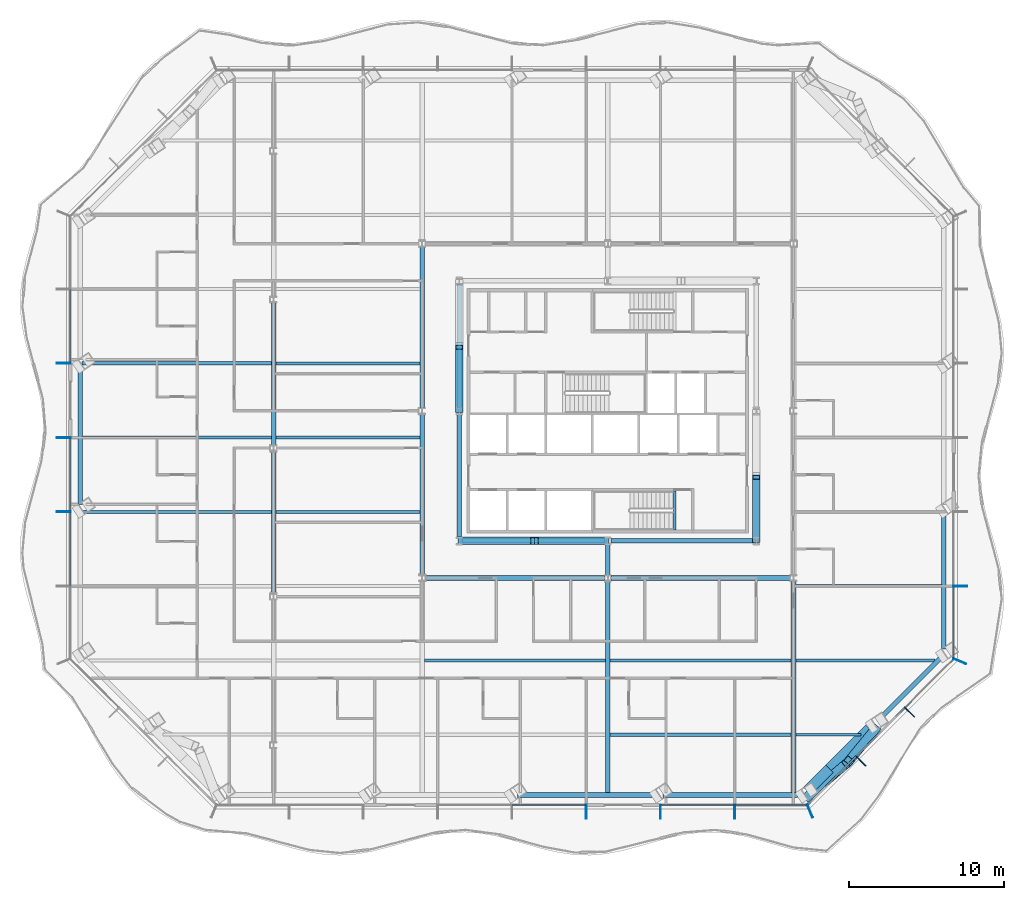
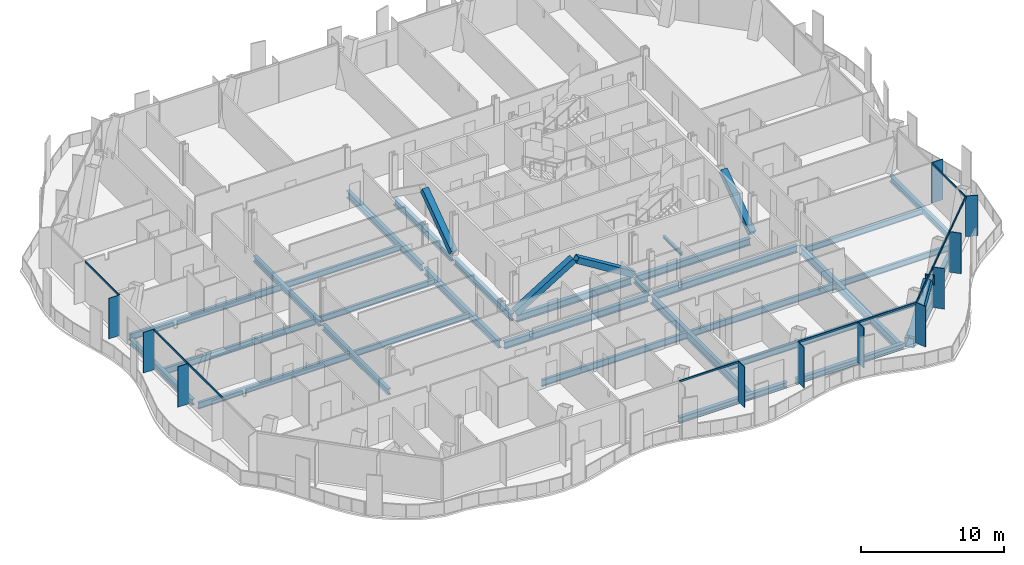
# One storey, part 2 of 17: 33 beams, 27 members, 4 elements without a shape of their own.
"""IFC4 building model written with IfcOpenShell, lengths in metres."""

from ifc_helpers import new_model, si_unit, direction, frame, origin, origin_2d, place, context, subcontext, project, spatial, rectangle, hollow_rectangle, i_section, extrude, material, material_profile, profile_set, type_object, element, aggregate, save


model = new_model("IFC4")

# Units and contexts
model_context = context("Model", 3, precision=1e-05, world=origin(), true_north=direction((0.0, 1.0)))
body_context = subcontext(model_context, "Body", "Model", "MODEL_VIEW")
ifc_project = project(units=[si_unit("LENGTHUNIT", "METRE"), si_unit("AREAUNIT", "SQUARE_METRE"), si_unit("VOLUMEUNIT", "CUBIC_METRE"), si_unit("PLANEANGLEUNIT", "RADIAN"), si_unit("MASSUNIT", "GRAM", prefix="KILO")], contexts=[model_context])

# Site, building, storey
site_placement = place(None, origin())
site = spatial("IfcSite", under=ifc_project, at=site_placement, CompositionType="ELEMENT")
building_placement = place(site_placement, origin())
building = spatial("IfcBuilding", under=site, at=building_placement, Name="Cairn Pilgrim Tower", CompositionType="ELEMENT")
storey_placement = place(building_placement, frame((0.0, 0.0, 94.199951171875)))
storey = spatial("IfcBuildingStorey", under=building, at=storey_placement, Name="L22", CompositionType="ELEMENT", Elevation=94.199951171875)

# Members
ifc_material_1 = material(Name="Structural steel S460M", Category="steel")
ifc_material_profile_1 = material_profile(ifc_material_1, hollow_rectangle(XDim=0.5, YDim=0.5, WallThickness=0.030029296875, at=origin_2d()), Name="BOX 500x500x30")
ifc_profile_set_1 = profile_set([ifc_material_profile_1], Name="Structural steel S460M")
member_type_1 = type_object("IfcMemberType", Name="BOX 500x500x30 BRACE", PredefinedType="BRACE", material=ifc_profile_set_1)
member_1_placement = place(storey_placement, frame((-2.356201171875, -6.0, 0.10009765625), z_axis=(0.850990224345, 0.0, 0.525181528683), x_axis=(0.0, 1.0, 0.0)))
element("IfcMember", 1, at=member_1_placement, inside=storey, type_object=member_type_1, Name="KB-1A", PredefinedType="BRACE", context=body_context, shape_type="SweptSolid", body=[
    extrude(hollow_rectangle(XDim=0.5, YDim=0.5, WallThickness=0.030029296875, at=origin_2d()), origin(), (0.0, 0.0, 1.0), 5.5263671875),
])
member_2_placement = place(storey_placement, frame((7.15625, -6.0, 0.10009765625), z_axis=(-0.851007515624, 0.0, 0.525153509321), x_axis=(0.0, -1.0, 0.0)))
element("IfcMember", 2, at=member_2_placement, inside=storey, type_object=member_type_1, Name="KB-1B", PredefinedType="BRACE", context=body_context, shape_type="SweptSolid", body=[
    extrude(hollow_rectangle(XDim=0.5, YDim=0.5, WallThickness=0.030029296875, at=origin_2d()), origin(), (0.0, 0.0, 1.0), 5.37646484375),
])
for number, where, z_axis, x_axis, name in (
    (3, (16.800048828125, -5.956298828125, 0.10009765625), (0.0, 0.814198726233, 0.580586284889), (-1.0, 0.0, 0.0), "KB-2A"),
    (4, (-2.39990234375, 2.443603515625, 0.10009765625), (0.0, 0.814198726233, 0.580586284889), (-1.0, 0.0, 0.0), "KB-4B"),
):
    element("IfcMember", number, at=place(storey_placement, frame(where, z_axis=z_axis, x_axis=x_axis)), inside=storey, type_object=member_type_1, Name=name, PredefinedType="BRACE", context=body_context, shape_type="SweptSolid", body=[
        extrude(hollow_rectangle(XDim=0.5, YDim=0.5, WallThickness=0.030029296875, at=origin_2d()), origin(), (0.0, 0.0, 1.0), 4.99658203125),
    ])
ifc_material_profile_2 = material_profile(ifc_material_1, hollow_rectangle(XDim=0.60009765625, YDim=0.60009765625, WallThickness=0.034912109375, at=origin_2d()), Name="BOX 600x600x35")
ifc_profile_set_2 = profile_set([ifc_material_profile_2], Name="Structural steel S460M")
member_type_2 = type_object("IfcMemberType", Name="BOX 600x600x35 BRACE", PredefinedType="BRACE", material=ifc_profile_set_2)
member_3_placement = place(storey_placement, frame((20.07958984375, -22.55859375, 0.150146484375), z_axis=(0.596569631431, 0.507172953437, 0.621997001726), x_axis=(-0.647714231681, 0.761883373015, 0.0)))
element("IfcMember", 5, at=member_3_placement, inside=storey, type_object=member_type_2, Name="XB-SE1-SE2-1", PredefinedType="BRACE", context=body_context, shape_type="SweptSolid", body=[
    extrude(hollow_rectangle(XDim=0.60009765625, YDim=0.60009765625, WallThickness=0.034912109375, at=origin_2d()), origin(), (0.0, 0.0, 1.0), 4.262939453125),
])
member_4_placement = place(storey_placement, frame((24.502685546875, -18.13525390625, 0.150146484375), z_axis=(-0.450072568527, -0.551123790611, 0.702635930253), x_axis=(0.774540293732, -0.632524571369, 0.0)))
element("IfcMember", 6, at=member_4_placement, inside=storey, type_object=member_type_2, Name="XB-SE1-SE2-2", PredefinedType="BRACE", context=body_context, shape_type="SweptSolid", body=[
    extrude(hollow_rectangle(XDim=0.60009765625, YDim=0.60009765625, WallThickness=0.034912109375, at=origin_2d()), origin(), (0.0, 0.0, 1.0), 3.77392578125),
])

# Beams
ifc_material_2 = material(Name="Structural steel S355J2", Category="steel")
ifc_material_profile_3 = material_profile(ifc_material_2, hollow_rectangle(XDim=0.699951171875, YDim=0.800048828125, WallThickness=0.0400390625, at=origin_2d()), Name="BOX 700x800x40")
ifc_profile_set_3 = profile_set([ifc_material_profile_3], Name="Structural steel S355J2")
beam_type_1 = type_object("IfcBeamType", Name="BOX 700x800x40 RING GIRDER", PredefinedType="SPANDREL", material=ifc_profile_set_3)
beam_1_placement = place(storey_placement, frame((20.090087890625, -22.173095703125, -0.550048828125), z_axis=(0.707166708029, 0.707046849265, 0.0), x_axis=(-0.707046849265, 0.707166708029, 0.0)))
element("IfcBeam", 7, at=beam_1_placement, inside=storey, type_object=beam_type_1, Name="RG1-SE1-SE2-1", PredefinedType="SPANDREL", context=body_context, shape_type="SweptSolid", body=[
    extrude(hollow_rectangle(XDim=0.699951171875, YDim=0.800048828125, WallThickness=0.0400390625, at=origin_2d()), origin(), (0.0, 0.0, 1.0), 2.036865234375),
])
beam_2_placement = place(storey_placement, frame((21.530517578125, -20.73291015625, -0.550048828125), z_axis=(0.707106781187, 0.707106781187, 0.0), x_axis=(-0.707106781187, 0.707106781187, 0.0)))
element("IfcBeam", 8, at=beam_2_placement, inside=storey, type_object=beam_type_1, Name="RG1-SE1-SE2-2", PredefinedType="SPANDREL", context=body_context, shape_type="SweptSolid", body=[
    extrude(hollow_rectangle(XDim=0.699951171875, YDim=0.800048828125, WallThickness=0.0400390625, at=origin_2d()), origin(), (0.0, 0.0, 1.0), 3.658447265625),
])

# Curtain wall, members
ifc_material_3 = material(Name="Aluminium alloy 6063-T6 bronze anodised with Bronze tinted laminated low-E glass 8+16+8.8", Category="aluminium")
curtain_wall_type_1 = type_object("IfcCurtainWallType", Name="TOWER STICK CURTAIN WALL NS", PredefinedType="NOTDEFINED", material=ifc_material_3)
curtain_wall_1_placement = place(storey_placement, origin())
curtain_wall_1 = element("IfcCurtainWall", 9, at=curtain_wall_1_placement, inside=storey, type_object=curtain_wall_type_1, Name="Tower Stick Curtain Wall Ns S", PredefinedType="NOTDEFINED")
ifc_material_4 = material(Name="Aluminium alloy 6063-T6 bronze anodised", Category="aluminium")
ifc_material_profile_4 = material_profile(ifc_material_4, rectangle(XDim=0.89990234375, YDim=0.06005859375, at=origin_2d()), Name="FIN MULLION 60x900 BRONZE")
ifc_profile_set_4 = profile_set([ifc_material_profile_4], Name="Aluminium alloy 6063-T6 bronze anodised")
member_type_3 = type_object("IfcMemberType", Name="FIN MULLION 60x900 BRONZE", PredefinedType="MULLION", material=ifc_profile_set_4)
member_5_placement = place(storey_placement, frame((5.808349609375, -23.497802734375, 0.0), z_axis=(0.0, 0.0, 1.0), x_axis=(0.0, -1.0, 0.0)))
member_5 = element("IfcMember", 10, at=member_5_placement, type_object=member_type_3, Name="Fin mullion S6", PredefinedType="MULLION", context=body_context, shape_type="SweptSolid", body=[
    extrude(rectangle(XDim=0.89990234375, YDim=0.06005859375, at=origin_2d()), origin(), (0.0, 0.0, 1.0), 3.449951171875),
])
member_6_placement = place(storey_placement, frame((10.6083984375, -23.497802734375, 0.0), z_axis=(0.0, 0.0, 1.0), x_axis=(0.0, -1.0, 0.0)))
member_6 = element("IfcMember", 11, at=member_6_placement, type_object=member_type_3, Name="Fin mullion S7", PredefinedType="MULLION", context=body_context, shape_type="SweptSolid", body=[
    extrude(rectangle(XDim=0.89990234375, YDim=0.06005859375, at=origin_2d()), origin(), (0.0, 0.0, 1.0), 3.449951171875),
])
member_7_placement = place(storey_placement, frame((15.408447265625, -23.497802734375, 0.0), z_axis=(0.0, 0.0, 1.0), x_axis=(0.0, -1.0, 0.0)))
member_7 = element("IfcMember", 12, at=member_7_placement, type_object=member_type_3, Name="Fin mullion S8", PredefinedType="MULLION", context=body_context, shape_type="SweptSolid", body=[
    extrude(rectangle(XDim=0.89990234375, YDim=0.06005859375, at=origin_2d()), origin(), (0.0, 0.0, 1.0), 3.449951171875),
])

curtain_wall_type_2 = type_object("IfcCurtainWallType", Name="CHAMFER CORNER CURTAIN WALL", PredefinedType="NOTDEFINED", material=ifc_material_3)
curtain_wall_2_placement = place(storey_placement, origin())
curtain_wall_2 = element("IfcCurtainWall", 13, at=curtain_wall_2_placement, inside=storey, type_object=curtain_wall_type_2, Name="Chamfer Corner Curtain Wall SE", PredefinedType="NOTDEFINED")
member_8_placement = place(storey_placement, frame((20.265625, -23.4658203125, 0.0), z_axis=(0.0, 0.0, 1.0), x_axis=(0.382683432365, -0.923879532511, 0.0)))
member_8 = element("IfcMember", 14, at=member_8_placement, type_object=member_type_3, Name="Fin mullion SE1", PredefinedType="MULLION", context=body_context, shape_type="SweptSolid", body=[
    extrude(rectangle(XDim=0.89990234375, YDim=0.06005859375, at=origin_2d()), origin(), (0.0, 0.0, 1.0), 3.449951171875),
])
member_9_placement = place(storey_placement, frame((23.552978515625, -20.2236328125, 0.0), z_axis=(0.0, 0.0, 1.0), x_axis=(0.707106781187, -0.707106781187, 0.0)))
member_9 = element("IfcMember", 15, at=member_9_placement, type_object=member_type_3, Name="Fin mullion SE2", PredefinedType="MULLION", context=body_context, shape_type="SweptSolid", body=[
    extrude(rectangle(XDim=0.89990234375, YDim=0.06005859375, at=origin_2d()), origin(), (0.0, 0.0, 1.0), 3.449951171875),
])
member_10_placement = place(storey_placement, frame((26.7041015625, -17.072265625, 0.0), z_axis=(0.0, 0.0, 1.0), x_axis=(0.707106781187, -0.707106781187, 0.0)))
member_10 = element("IfcMember", 16, at=member_10_placement, type_object=member_type_3, Name="Fin mullion SE3", PredefinedType="MULLION", context=body_context, shape_type="SweptSolid", body=[
    extrude(rectangle(XDim=0.89990234375, YDim=0.06005859375, at=origin_2d()), origin(), (0.0, 0.0, 1.0), 3.449951171875),
])

curtain_wall_type_3 = type_object("IfcCurtainWallType", Name="TOWER STICK CURTAIN WALL EW", PredefinedType="NOTDEFINED", material=ifc_material_3)
curtain_wall_3_placement = place(storey_placement, origin())
curtain_wall_3 = element("IfcCurtainWall", 17, at=curtain_wall_3_placement, inside=storey, type_object=curtain_wall_type_3, Name="Tower Stick Curtain Wall Ew E", PredefinedType="NOTDEFINED")
member_11_placement = place(storey_placement, frame((29.946533203125, -13.784912109375, 0.0), z_axis=(0.0, 0.0, 1.0), x_axis=(0.923879532511, -0.382683432365, 0.0)))
member_11 = element("IfcMember", 18, at=member_11_placement, type_object=member_type_3, Name="Fin mullion E1", PredefinedType="MULLION", context=body_context, shape_type="SweptSolid", body=[
    extrude(rectangle(XDim=0.89990234375, YDim=0.06005859375, at=origin_2d()), origin(), (0.0, 0.0, 1.0), 3.449951171875),
])
member_12_placement = place(storey_placement, frame((29.978271484375, -8.927734375, 0.0), z_axis=(0.0, 0.0, 1.0), x_axis=(1.0, 0.0, 0.0)))
member_12 = element("IfcMember", 19, at=member_12_placement, type_object=member_type_3, Name="Fin mullion E2", PredefinedType="MULLION", context=body_context, shape_type="SweptSolid", body=[
    extrude(rectangle(XDim=0.89990234375, YDim=0.06005859375, at=origin_2d()), origin(), (0.0, 0.0, 1.0), 3.449951171875),
])

curtain_wall_4_placement = place(storey_placement, origin())
curtain_wall_4 = element("IfcCurtainWall", 20, at=curtain_wall_4_placement, inside=storey, type_object=curtain_wall_type_3, Name="Tower Stick Curtain Wall Ew W", PredefinedType="NOTDEFINED")
member_13_placement = place(storey_placement, frame((-27.961669921875, 5.47216796875, 0.0), z_axis=(0.0, 0.0, 1.0), x_axis=(-1.0, 0.0, 0.0)))
member_13 = element("IfcMember", 21, at=member_13_placement, type_object=member_type_3, Name="Fin mullion W3", PredefinedType="MULLION", context=body_context, shape_type="SweptSolid", body=[
    extrude(rectangle(XDim=0.89990234375, YDim=0.06005859375, at=origin_2d()), origin(), (0.0, 0.0, 1.0), 3.449951171875),
])
member_14_placement = place(storey_placement, frame((-27.961669921875, 0.67236328125, 0.0), z_axis=(0.0, 0.0, 1.0), x_axis=(-1.0, 0.0, 0.0)))
member_14 = element("IfcMember", 22, at=member_14_placement, type_object=member_type_3, Name="Fin mullion W4", PredefinedType="MULLION", context=body_context, shape_type="SweptSolid", body=[
    extrude(rectangle(XDim=0.89990234375, YDim=0.06005859375, at=origin_2d()), origin(), (0.0, 0.0, 1.0), 3.449951171875),
])
member_15_placement = place(storey_placement, frame((-27.961669921875, -4.127685546875, 0.0), z_axis=(0.0, 0.0, 1.0), x_axis=(-1.0, 0.0, 0.0)))
member_15 = element("IfcMember", 23, at=member_15_placement, type_object=member_type_3, Name="Fin mullion W5", PredefinedType="MULLION", context=body_context, shape_type="SweptSolid", body=[
    extrude(rectangle(XDim=0.89990234375, YDim=0.06005859375, at=origin_2d()), origin(), (0.0, 0.0, 1.0), 3.449951171875),
])

# Beams
ifc_material_profile_5 = material_profile(ifc_material_2, i_section(OverallWidth=0.300048828125, OverallDepth=0.39990234375, WebThickness=0.013427734375, FlangeThickness=0.02392578125, FilletRadius=0.027099609375, at=origin_2d()), Name="HEB 400")
ifc_profile_set_5 = profile_set([ifc_material_profile_5], Name="Structural steel S355J2")
beam_type_2 = type_object("IfcBeamType", Name="HEB 400 GIRDER", PredefinedType="BEAM", material=ifc_profile_set_5)
beam_3_placement = place(storey_placement, frame((7.199951171875, -8.195556640625, -0.349853515625), z_axis=(0.0, 1.0, 0.0), x_axis=(-1.0, 0.0, 0.0)))
element("IfcBeam", 24, at=beam_3_placement, inside=storey, type_object=beam_type_2, Name="PG3-E1", PredefinedType="BEAM", context=body_context, shape_type="SweptSolid", body=[
    extrude(i_section(OverallWidth=0.300048828125, OverallDepth=0.39990234375, WebThickness=0.013427734375, FlangeThickness=0.02392578125, FilletRadius=0.027099609375, at=origin_2d()), origin(), (0.0, 0.0, 1.0), 1.97705078125),
])
ifc_material_profile_6 = material_profile(ifc_material_2, i_section(OverallWidth=0.300048828125, OverallDepth=0.5, WebThickness=0.014404296875, FlangeThickness=0.028076171875, FilletRadius=0.027099609375, at=origin_2d()), Name="HEB 500")
ifc_profile_set_6 = profile_set([ifc_material_profile_6], Name="Structural steel S355J2")
beam_type_3 = type_object("IfcBeamType", Name="HEB 500 GIRDER", PredefinedType="BEAM", material=ifc_profile_set_6)
for number, where, z_axis, x_axis, name in (
    (25, (-14.39990234375, -9.3955078125, -0.39990234375), (0.0, 1.0, 0.0), (-1.0, 0.0, 0.0), "PG1-3"),
    (26, (-14.39990234375, 0.20458984375, -0.39990234375), (0.0, 1.0, 0.0), (-1.0, 0.0, 0.0), "PG1-4"),
):
    element("IfcBeam", number, at=place(storey_placement, frame(where, z_axis=z_axis, x_axis=x_axis)), inside=storey, type_object=beam_type_3, Name=name, PredefinedType="BEAM", context=body_context, shape_type="SweptSolid", body=[
        extrude(i_section(OverallWidth=0.300048828125, OverallDepth=0.5, WebThickness=0.014404296875, FlangeThickness=0.028076171875, FilletRadius=0.027099609375, at=origin_2d()), origin(), (0.0, 0.0, 1.0), 9.19091796875),
    ])
ifc_material_profile_7 = material_profile(ifc_material_2, i_section(OverallWidth=0.300048828125, OverallDepth=0.5, WebThickness=0.014404296875, FlangeThickness=0.028076171875, FilletRadius=0.027099609375, at=origin_2d()), Name="HEB 500")
ifc_profile_set_7 = profile_set([ifc_material_profile_7], Name="Structural steel S355J2")
beam_type_4 = type_object("IfcBeamType", Name="HEB 500 RING GIRDER", PredefinedType="SPANDREL", material=ifc_profile_set_7)
for number, where, z_axis, x_axis, name in (
    (27, (1.368408203125, -22.427734375, -0.39990234375), (1.0, 0.0, 0.0), (0.0, 1.0, 0.0), "RG1-S3-S4"),
    (28, (10.781982421875, -22.427734375, -0.39990234375), (1.0, 0.0, 0.0), (0.0, 1.0, 0.0), "RG1-S4-SE1"),
):
    element("IfcBeam", number, at=place(storey_placement, frame(where, z_axis=z_axis, x_axis=x_axis)), inside=storey, type_object=beam_type_4, Name=name, PredefinedType="SPANDREL", context=body_context, shape_type="SweptSolid", body=[
        extrude(i_section(OverallWidth=0.300048828125, OverallDepth=0.5, WebThickness=0.014404296875, FlangeThickness=0.028076171875, FilletRadius=0.027099609375, at=origin_2d()), origin(), (0.0, 0.0, 1.0), 8.693603515625),
    ])
beam_4_placement = place(storey_placement, frame((24.62646484375, -17.63671875, -0.39990234375), z_axis=(0.707128214185, 0.707085347538, 0.0), x_axis=(-0.707085347538, 0.707128214185, 0.0)))
element("IfcBeam", 29, at=beam_4_placement, inside=storey, type_object=beam_type_4, Name="RG1-SE2-E1", PredefinedType="SPANDREL", context=body_context, shape_type="SweptSolid", body=[
    extrude(i_section(OverallWidth=0.300048828125, OverallDepth=0.5, WebThickness=0.014404296875, FlangeThickness=0.028076171875, FilletRadius=0.027099609375, at=origin_2d()), origin(), (0.0, 0.0, 1.0), 5.6953125),
])
for number, where, z_axis, x_axis, name in (
    (30, (28.908447265625, -12.9951171875, -0.39990234375), (0.0, 1.0, 0.0), (-1.0, 0.0, 0.0), "RG1-E1-E2"),
    (31, (-26.8916015625, 4.988037109375, -0.39990234375), (0.0, -1.0, 0.0), (1.0, 0.0, 0.0), "RG1-W2-W3"),
):
    element("IfcBeam", number, at=place(storey_placement, frame(where, z_axis=z_axis, x_axis=x_axis)), inside=storey, type_object=beam_type_4, Name=name, PredefinedType="SPANDREL", context=body_context, shape_type="SweptSolid", body=[
        extrude(i_section(OverallWidth=0.300048828125, OverallDepth=0.5, WebThickness=0.014404296875, FlangeThickness=0.028076171875, FilletRadius=0.027099609375, at=origin_2d()), origin(), (0.0, 0.0, 1.0), 8.631591796875),
    ])
ifc_material_profile_8 = material_profile(ifc_material_2, i_section(OverallWidth=0.300048828125, OverallDepth=0.60009765625, WebThickness=0.015380859375, FlangeThickness=0.030029296875, FilletRadius=0.027099609375, at=origin_2d()), Name="HEB 600")
ifc_profile_set_8 = profile_set([ifc_material_profile_8], Name="Structural steel S355J2")
beam_type_5 = type_object("IfcBeamType", Name="HEB 600 CORE BEAM", PredefinedType="BEAM", material=ifc_profile_set_8)
beam_5_placement = place(storey_placement, frame((-2.203369140625, -6.0, -0.449951171875), z_axis=(1.0, 0.0, 0.0), x_axis=(0.0, 1.0, 0.0)))
element("IfcBeam", 32, at=beam_5_placement, inside=storey, type_object=beam_type_5, Name="CB-1", PredefinedType="BEAM", context=body_context, shape_type="SweptSolid", body=[
    extrude(i_section(OverallWidth=0.300048828125, OverallDepth=0.60009765625, WebThickness=0.015380859375, FlangeThickness=0.030029296875, FilletRadius=0.027099609375, at=origin_2d()), origin(), (0.0, 0.0, 1.0), 9.206787109375),
])
beam_6_placement = place(storey_placement, frame((7.396728515625, -6.0, -0.449951171875), z_axis=(1.0, 0.0, 0.0), x_axis=(0.0, 1.0, 0.0)))
element("IfcBeam", 33, at=beam_6_placement, inside=storey, type_object=beam_type_5, Name="CB-2", PredefinedType="BEAM", context=body_context, shape_type="SweptSolid", body=[
    extrude(i_section(OverallWidth=0.300048828125, OverallDepth=0.60009765625, WebThickness=0.015380859375, FlangeThickness=0.030029296875, FilletRadius=0.027099609375, at=origin_2d()), origin(), (0.0, 0.0, 1.0), 9.20654296875),
])
for number, where, z_axis, x_axis, name in (
    (34, (-2.39990234375, 10.603515625, -0.449951171875), (0.0, -1.0, 0.0), (1.0, 0.0, 0.0), "CB-7"),
    (35, (-2.39990234375, 2.203369140625, -0.449951171875), (0.0, -1.0, 0.0), (1.0, 0.0, 0.0), "CB-8"),
):
    element("IfcBeam", number, at=place(storey_placement, frame(where, z_axis=z_axis, x_axis=x_axis)), inside=storey, type_object=beam_type_5, Name=name, PredefinedType="BEAM", context=body_context, shape_type="SweptSolid", body=[
        extrude(i_section(OverallWidth=0.300048828125, OverallDepth=0.60009765625, WebThickness=0.015380859375, FlangeThickness=0.030029296875, FilletRadius=0.027099609375, at=origin_2d()), origin(), (0.0, 0.0, 1.0), 8.0068359375),
    ])
ifc_material_profile_9 = material_profile(ifc_material_2, i_section(OverallWidth=0.300048828125, OverallDepth=0.60009765625, WebThickness=0.015380859375, FlangeThickness=0.030029296875, FilletRadius=0.027099609375, at=origin_2d()), Name="HEB 600")
ifc_profile_set_9 = profile_set([ifc_material_profile_9], Name="Structural steel S355J2")
beam_type_6 = type_object("IfcBeamType", Name="HEB 600 GIRDER", PredefinedType="BEAM", material=ifc_profile_set_9)
for number, where, z_axis, x_axis, name in (
    (36, (-4.800048828125, -8.195556640625, -0.449951171875), (0.0, 1.0, 0.0), (-1.0, 0.0, 0.0), "PG2-2"),
    (37, (-4.800048828125, 2.6044921875, -0.449951171875), (0.0, 1.0, 0.0), (-1.0, 0.0, 0.0), "PG2-3"),
):
    element("IfcBeam", number, at=place(storey_placement, frame(where, z_axis=z_axis, x_axis=x_axis)), inside=storey, type_object=beam_type_6, Name=name, PredefinedType="BEAM", context=body_context, shape_type="SweptSolid", body=[
        extrude(i_section(OverallWidth=0.300048828125, OverallDepth=0.60009765625, WebThickness=0.015380859375, FlangeThickness=0.030029296875, FilletRadius=0.027099609375, at=origin_2d()), origin(), (0.0, 0.0, 1.0), 10.39111328125),
    ])
ifc_material_profile_10 = material_profile(ifc_material_2, i_section(OverallWidth=0.300048828125, OverallDepth=0.60009765625, WebThickness=0.015380859375, FlangeThickness=0.030029296875, FilletRadius=0.027099609375, at=origin_2d()), Name="HEB 600")
ifc_profile_set_10 = profile_set([ifc_material_profile_10], Name="Structural steel S355J2")
beam_type_7 = type_object("IfcBeamType", Name="HEB 600 INNER GIRDER", PredefinedType="BEAM", material=ifc_profile_set_10)
for number, where, z_axis, x_axis, name in (
    (38, (-4.595458984375, -8.39990234375, -0.449951171875), (1.0, 0.0, 0.0), (0.0, 1.0, 0.0), "IG1-1"),
    (39, (7.404541015625, -8.39990234375, -0.449951171875), (1.0, 0.0, 0.0), (0.0, 1.0, 0.0), "IG1-2"),
):
    element("IfcBeam", number, at=place(storey_placement, frame(where, z_axis=z_axis, x_axis=x_axis)), inside=storey, type_object=beam_type_7, Name=name, PredefinedType="BEAM", context=body_context, shape_type="SweptSolid", body=[
        extrude(i_section(OverallWidth=0.300048828125, OverallDepth=0.60009765625, WebThickness=0.015380859375, FlangeThickness=0.030029296875, FilletRadius=0.027099609375, at=origin_2d()), origin(), (0.0, 0.0, 1.0), 11.591064453125),
    ])
ifc_material_profile_11 = material_profile(ifc_material_2, i_section(OverallWidth=0.300048828125, OverallDepth=0.699951171875, WebThickness=0.01708984375, FlangeThickness=0.031982421875, FilletRadius=0.027099609375, at=origin_2d()), Name="HEB 700")
ifc_profile_set_11 = profile_set([ifc_material_profile_11], Name="Structural steel S355J2")
beam_type_8 = type_object("IfcBeamType", Name="HEB 700 GIRDER", PredefinedType="BEAM", material=ifc_profile_set_11)
for number, where, z_axis, x_axis, name in (
    (40, (7.199951171875, -22.3076171875, -0.5), (0.0, 1.0, 0.0), (-1.0, 0.0, 0.0), "PG3-1"),
    (41, (19.199951171875, -22.3076171875, -0.5), (0.0, 1.0, 0.0), (-1.0, 0.0, 0.0), "PG4-1"),
):
    element("IfcBeam", number, at=place(storey_placement, frame(where, z_axis=z_axis, x_axis=x_axis)), inside=storey, type_object=beam_type_8, Name=name, PredefinedType="BEAM", context=body_context, shape_type="SweptSolid", body=[
        extrude(i_section(OverallWidth=0.300048828125, OverallDepth=0.699951171875, WebThickness=0.01708984375, FlangeThickness=0.031982421875, FilletRadius=0.027099609375, at=origin_2d()), origin(), (0.0, 0.0, 1.0), 13.703125),
    ])
ifc_material_profile_12 = material_profile(ifc_material_2, i_section(OverallWidth=0.169921875, OverallDepth=0.360107421875, WebThickness=0.008056640625, FlangeThickness=0.0126953125, FilletRadius=0.01806640625, at=origin_2d()), Name="IPE 360")
ifc_profile_set_12 = profile_set([ifc_material_profile_12], Name="Structural steel S355J2")
beam_type_9 = type_object("IfcBeamType", Name="IPE 360 SECONDARY BEAM", PredefinedType="JOIST", material=ifc_profile_set_12)
beam_7_placement = place(storey_placement, frame((19.35009765625, -18.527587890625, -0.329833984375), z_axis=(1.0, 0.0, 0.0), x_axis=(0.0, 1.0, 0.0)))
element("IfcBeam", 42, at=beam_7_placement, inside=storey, type_object=beam_type_9, Name="SB1-5", PredefinedType="JOIST", context=body_context, shape_type="SweptSolid", body=[
    extrude(i_section(OverallWidth=0.169921875, OverallDepth=0.360107421875, WebThickness=0.008056640625, FlangeThickness=0.0126953125, FilletRadius=0.01806640625, at=origin_2d()), origin(), (0.0, 0.0, 1.0), 4.203369140625),
])
ifc_material_profile_13 = material_profile(ifc_material_2, i_section(OverallWidth=0.199951171875, OverallDepth=0.5, WebThickness=0.01025390625, FlangeThickness=0.01611328125, FilletRadius=0.02099609375, at=origin_2d()), Name="IPE 500")
ifc_profile_set_13 = profile_set([ifc_material_profile_13], Name="Structural steel S355J2")
beam_type_10 = type_object("IfcBeamType", Name="IPE 500 SECONDARY BEAM", PredefinedType="JOIST", material=ifc_profile_set_13)
beam_8_placement = place(storey_placement, frame((19.35009765625, -13.727783203125, -0.39990234375), z_axis=(1.0, 0.0, 0.0), x_axis=(0.0, 1.0, 0.0)))
element("IfcBeam", 43, at=beam_8_placement, inside=storey, type_object=beam_type_10, Name="SB2-5", PredefinedType="JOIST", context=body_context, shape_type="SweptSolid", body=[
    extrude(i_section(OverallWidth=0.199951171875, OverallDepth=0.5, WebThickness=0.01025390625, FlangeThickness=0.01611328125, FilletRadius=0.02099609375, at=origin_2d()), origin(), (0.0, 0.0, 1.0), 9.00341796875),
])
beam_9_placement = place(storey_placement, frame((19.35009765625, -8.927734375, -0.39990234375), z_axis=(1.0, 0.0, 0.0), x_axis=(0.0, 1.0, 0.0)))
element("IfcBeam", 44, at=beam_9_placement, inside=storey, type_object=beam_type_10, Name="SB3-3", PredefinedType="JOIST", context=body_context, shape_type="SweptSolid", body=[
    extrude(i_section(OverallWidth=0.199951171875, OverallDepth=0.5, WebThickness=0.01025390625, FlangeThickness=0.01611328125, FilletRadius=0.02099609375, at=origin_2d()), origin(), (0.0, 0.0, 1.0), 9.438232421875),
])
for number, where, z_axis, x_axis, name in (
    (45, (-14.25, -4.127685546875, -0.39990234375), (1.0, 0.0, 0.0), (0.0, 1.0, 0.0), "SB4-2"),
    (46, (-14.25, 0.67236328125, -0.39990234375), (1.0, 0.0, 0.0), (0.0, 1.0, 0.0), "SB5-2"),
    (47, (-14.25, 5.472412109375, -0.39990234375), (1.0, 0.0, 0.0), (0.0, 1.0, 0.0), "SB6-2"),
):
    element("IfcBeam", number, at=place(storey_placement, frame(where, z_axis=z_axis, x_axis=x_axis)), inside=storey, type_object=beam_type_10, Name=name, PredefinedType="JOIST", context=body_context, shape_type="SweptSolid", body=[
        extrude(i_section(OverallWidth=0.199951171875, OverallDepth=0.5, WebThickness=0.01025390625, FlangeThickness=0.01611328125, FilletRadius=0.02099609375, at=origin_2d()), origin(), (0.0, 0.0, 1.0), 9.300048828125),
    ])
ifc_material_profile_14 = material_profile(ifc_material_2, i_section(OverallWidth=0.2099609375, OverallDepth=0.550048828125, WebThickness=0.010986328125, FlangeThickness=0.01708984375, FilletRadius=0.02392578125, at=origin_2d()), Name="IPE 550")
ifc_profile_set_14 = profile_set([ifc_material_profile_14], Name="Structural steel S355J2")
beam_type_11 = type_object("IfcBeamType", Name="IPE 550 SECONDARY BEAM", PredefinedType="JOIST", material=ifc_profile_set_14)
for number, where, z_axis, x_axis, name in (
    (48, (7.35009765625, -18.527587890625, -0.425048828125), (1.0, 0.0, 0.0), (0.0, 1.0, 0.0), "SB1-4"),
    (49, (-4.64990234375, -13.727783203125, -0.425048828125), (1.0, 0.0, 0.0), (0.0, 1.0, 0.0), "SB2-3"),
    (50, (7.35009765625, -13.727783203125, -0.425048828125), (1.0, 0.0, 0.0), (0.0, 1.0, 0.0), "SB2-4"),
):
    element("IfcBeam", number, at=place(storey_placement, frame(where, z_axis=z_axis, x_axis=x_axis)), inside=storey, type_object=beam_type_11, Name=name, PredefinedType="JOIST", context=body_context, shape_type="SweptSolid", body=[
        extrude(i_section(OverallWidth=0.2099609375, OverallDepth=0.550048828125, WebThickness=0.010986328125, FlangeThickness=0.01708984375, FilletRadius=0.02392578125, at=origin_2d()), origin(), (0.0, 0.0, 1.0), 11.699951171875),
    ])
for number, where, z_axis, x_axis, name in (
    (51, (-26.771484375, -4.127685546875, -0.425048828125), (1.0, 0.0, 0.0), (0.0, 1.0, 0.0), "SB4-1"),
    (52, (-26.771484375, 0.67236328125, -0.425048828125), (1.0, 0.0, 0.0), (0.0, 1.0, 0.0), "SB5-1"),
    (53, (-26.771484375, 5.472412109375, -0.425048828125), (1.0, 0.0, 0.0), (0.0, 1.0, 0.0), "SB6-1"),
):
    element("IfcBeam", number, at=place(storey_placement, frame(where, z_axis=z_axis, x_axis=x_axis)), inside=storey, type_object=beam_type_11, Name=name, PredefinedType="JOIST", context=body_context, shape_type="SweptSolid", body=[
        extrude(i_section(OverallWidth=0.2099609375, OverallDepth=0.550048828125, WebThickness=0.010986328125, FlangeThickness=0.01708984375, FilletRadius=0.02392578125, at=origin_2d()), origin(), (0.0, 0.0, 1.0), 12.221435546875),
    ])
ifc_material_profile_15 = material_profile(ifc_material_2, i_section(OverallWidth=0.199951171875, OverallDepth=0.199951171875, WebThickness=0.009033203125, FlangeThickness=0.014892578125, FilletRadius=0.01806640625, at=origin_2d()), Name="HE 200 B")
ifc_profile_set_15 = profile_set([ifc_material_profile_15], Name="Structural steel S355J2")
beam_type_12 = type_object("IfcBeamType", Name="STAIR LANDING BEAM HE 200 B", PredefinedType="BEAM", material=ifc_profile_set_15)
beam_10_placement = place(storey_placement, frame((11.5244140625, -2.77490234375, -0.25), z_axis=(0.0, -1.0, 0.0), x_axis=(1.0, 0.0, 0.0)))
element("IfcBeam", 54, at=beam_10_placement, inside=storey, type_object=beam_type_12, Name="STAIR LANDING BEAM LD-HE200B", PredefinedType="BEAM", context=body_context, shape_type="SweptSolid", body=[
    extrude(i_section(OverallWidth=0.199951171875, OverallDepth=0.199951171875, WebThickness=0.009033203125, FlangeThickness=0.014892578125, FilletRadius=0.01806640625, at=origin_2d()), origin(), (0.0, 0.0, 1.0), 2.525146484375),
])

# Member
ifc_material_profile_16 = material_profile(ifc_material_4, rectangle(XDim=0.080078125, YDim=0.14990234375, at=origin_2d()), Name="TRANSOM 80x150 BRONZE")
ifc_profile_set_16 = profile_set([ifc_material_profile_16], Name="Aluminium alloy 6063-T6 bronze anodised")
member_type_4 = type_object("IfcMemberType", Name="TRANSOM 80x150 BRONZE", PredefinedType="USERDEFINED", material=ifc_profile_set_16)
member_16_placement = place(storey_placement, frame((1.038330078125, -23.07763671875, 3.375), z_axis=(1.0, 0.0, 0.0), x_axis=(0.0, 1.0, 0.0)))
member_16 = element("IfcMember", 55, at=member_16_placement, type_object=member_type_4, Name="Transom S5", ObjectType="TRANSOM", PredefinedType="USERDEFINED", context=body_context, shape_type="SweptSolid", body=[
    extrude(rectangle(XDim=0.080078125, YDim=0.14990234375, at=origin_2d()), origin(), (0.0, 0.0, 1.0), 4.739990234375),
])

member_17_placement = place(storey_placement, frame((10.638427734375, -23.07763671875, 3.375), z_axis=(1.0, 0.0, 0.0), x_axis=(0.0, 1.0, 0.0)))
member_17 = element("IfcMember", 56, at=member_17_placement, type_object=member_type_4, Name="Transom S7", ObjectType="TRANSOM", PredefinedType="USERDEFINED", context=body_context, shape_type="SweptSolid", body=[
    extrude(rectangle(XDim=0.080078125, YDim=0.14990234375, at=origin_2d()), origin(), (0.0, 0.0, 1.0), 4.739990234375),
])

member_18_placement = place(storey_placement, frame((15.4384765625, -23.07763671875, 3.375), z_axis=(1.0, 0.0, 0.0), x_axis=(0.0, 1.0, 0.0)))
member_18 = element("IfcMember", 57, at=member_18_placement, type_object=member_type_4, Name="Transom S8", ObjectType="TRANSOM", PredefinedType="USERDEFINED", context=body_context, shape_type="SweptSolid", body=[
    extrude(rectangle(XDim=0.080078125, YDim=0.14990234375, at=origin_2d()), origin(), (0.0, 0.0, 1.0), 4.62646484375),
])

aggregate(curtain_wall_1, [member_5, member_6, member_7, member_16, member_17, member_18])

member_19_placement = place(storey_placement, frame((20.133056640625, -23.049560546875, 3.375), z_axis=(0.707106781187, 0.707106781187, 0.0), x_axis=(-0.707106781187, 0.707106781187, 0.0)))
member_19 = element("IfcMember", 58, at=member_19_placement, type_object=member_type_4, Name="Transom SE1", ObjectType="TRANSOM", PredefinedType="USERDEFINED", context=body_context, shape_type="SweptSolid", body=[
    extrude(rectangle(XDim=0.080078125, YDim=0.14990234375, at=origin_2d()), origin(), (0.0, 0.0, 1.0), 4.38671875),
])

member_20_placement = place(storey_placement, frame((23.27734375, -19.9052734375, 3.375), z_axis=(0.707106781187, 0.707106781187, 0.0), x_axis=(-0.707106781187, 0.707106781187, 0.0)))
member_20 = element("IfcMember", 59, at=member_20_placement, type_object=member_type_4, Name="Transom SE2", ObjectType="TRANSOM", PredefinedType="USERDEFINED", context=body_context, shape_type="SweptSolid", body=[
    extrude(rectangle(XDim=0.080078125, YDim=0.14990234375, at=origin_2d()), origin(), (0.0, 0.0, 1.0), 4.396240234375),
])

member_21_placement = place(storey_placement, frame((26.428466796875, -16.754150390625, 3.375), z_axis=(0.707106781187, 0.707106781187, 0.0), x_axis=(-0.707106781187, 0.707106781187, 0.0)))
member_21 = element("IfcMember", 60, at=member_21_placement, type_object=member_type_4, Name="Transom SE3", ObjectType="TRANSOM", PredefinedType="USERDEFINED", context=body_context, shape_type="SweptSolid", body=[
    extrude(rectangle(XDim=0.080078125, YDim=0.14990234375, at=origin_2d()), origin(), (0.0, 0.0, 1.0), 4.38623046875),
])

aggregate(curtain_wall_2, [member_8, member_9, member_10, member_19, member_20, member_21])

member_22_placement = place(storey_placement, frame((29.558349609375, -13.584228515625, 3.375), z_axis=(0.0, 1.0, 0.0), x_axis=(-1.0, 0.0, 0.0)))
member_22 = element("IfcMember", 61, at=member_22_placement, type_object=member_type_4, Name="Transom E1", ObjectType="TRANSOM", PredefinedType="USERDEFINED", context=body_context, shape_type="SweptSolid", body=[
    extrude(rectangle(XDim=0.080078125, YDim=0.14990234375, at=origin_2d()), origin(), (0.0, 0.0, 1.0), 4.62646484375),
])

aggregate(curtain_wall_3, [member_11, member_12, member_22])

member_23_placement = place(storey_placement, frame((-27.54150390625, 10.2421875, 3.375), z_axis=(0.0, -1.0, 0.0), x_axis=(1.0, 0.0, 0.0)))
member_23 = element("IfcMember", 62, at=member_23_placement, type_object=member_type_4, Name="Transom W2", ObjectType="TRANSOM", PredefinedType="USERDEFINED", context=body_context, shape_type="SweptSolid", body=[
    extrude(rectangle(XDim=0.080078125, YDim=0.14990234375, at=origin_2d()), origin(), (0.0, 0.0, 1.0), 4.739990234375),
])

member_24_placement = place(storey_placement, frame((-27.54150390625, 0.642333984375, 3.375), z_axis=(0.0, -1.0, 0.0), x_axis=(1.0, 0.0, 0.0)))
member_24 = element("IfcMember", 63, at=member_24_placement, type_object=member_type_4, Name="Transom W4", ObjectType="TRANSOM", PredefinedType="USERDEFINED", context=body_context, shape_type="SweptSolid", body=[
    extrude(rectangle(XDim=0.080078125, YDim=0.14990234375, at=origin_2d()), origin(), (0.0, 0.0, 1.0), 4.739990234375),
])

member_25_placement = place(storey_placement, frame((-27.54150390625, -4.15771484375, 3.375), z_axis=(0.0, -1.0, 0.0), x_axis=(1.0, 0.0, 0.0)))
member_25 = element("IfcMember", 64, at=member_25_placement, type_object=member_type_4, Name="Transom W5", ObjectType="TRANSOM", PredefinedType="USERDEFINED", context=body_context, shape_type="SweptSolid", body=[
    extrude(rectangle(XDim=0.080078125, YDim=0.14990234375, at=origin_2d()), origin(), (0.0, 0.0, 1.0), 4.739990234375),
])

aggregate(curtain_wall_4, [member_13, member_14, member_15, member_23, member_24, member_25])

save(model, "model.ifc")
